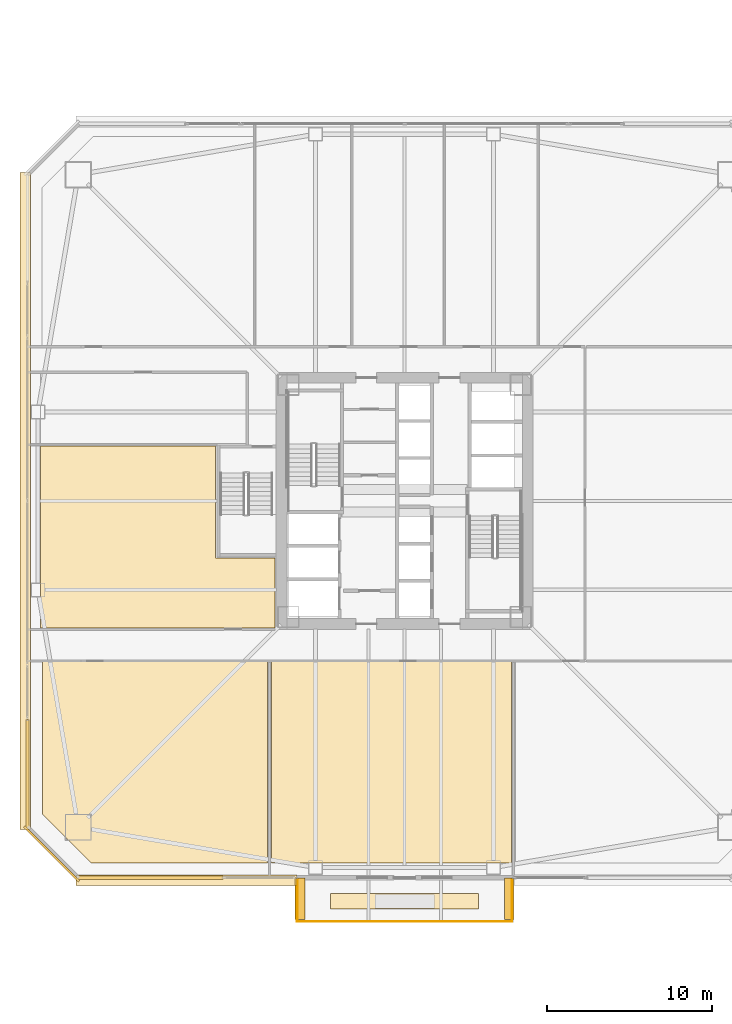
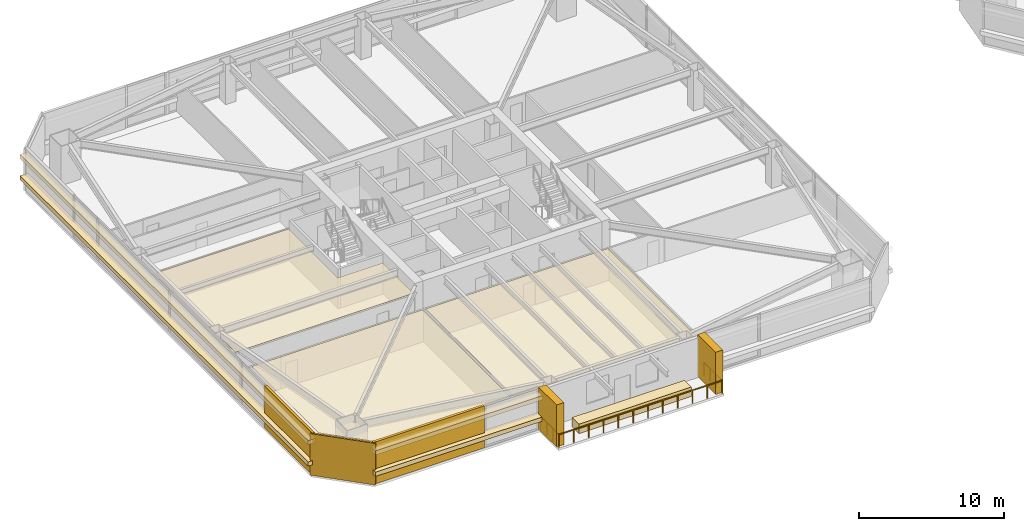
# One storey, part 41 of 48: 13 coverings, 3 railings.
"""IFC4 building model written with IfcOpenShell, lengths in metres."""

from ifc_helpers import new_model, si_unit, direction, frame, origin, origin_2d, place, context, subcontext, project, spatial, polyline, rectangle, outline, extrude, material, layer, layer_set, type_object, element, save


model = new_model("IFC4")

# Units and contexts
model_context = context("Model", 3, precision=1e-05, world=origin(), true_north=direction((0.0, 1.0)))
body_context = subcontext(model_context, "Body", "Model", "MODEL_VIEW")
ifc_project = project(units=[si_unit("LENGTHUNIT", "METRE"), si_unit("AREAUNIT", "SQUARE_METRE"), si_unit("VOLUMEUNIT", "CUBIC_METRE"), si_unit("PLANEANGLEUNIT", "RADIAN"), si_unit("MASSUNIT", "GRAM", prefix="KILO")], contexts=[model_context])

# Site, building, storey
site_placement = place(None, origin())
site = spatial("IfcSite", under=ifc_project, at=site_placement, CompositionType="ELEMENT")
building_placement = place(site_placement, origin())
building = spatial("IfcBuilding", under=site, at=building_placement, Name="Tashvorn Skyway Center", CompositionType="ELEMENT")
storey_placement = place(building_placement, frame((0.0, 0.0, 56.550048828125)))
storey = spatial("IfcBuildingStorey", under=building, at=storey_placement, Name="L14", CompositionType="ELEMENT", Elevation=56.550048828125)

# Coverings
ifc_material_1 = material(Name="Precast concrete C40/50", Category="concrete")
ifc_layer_1 = layer(ifc_material_1, 0.199951171875)
ifc_layer_set_1 = layer_set([ifc_layer_1], Name="Precast concrete C40/50")
covering_type_1 = type_object("IfcCoveringType", Name="COV-BRACE-CLAD", PredefinedType="CLADDING", material=ifc_layer_set_1)
covering_1_placement = place(storey_placement, frame((26.546630859375, 9.1201171875, 0.0), z_axis=(0.0, 0.0, 1.0), x_axis=(-1.0, 0.0, 0.0)))
element("IfcCovering", 1, at=covering_1_placement, inside=storey, type_object=covering_type_1, Name="Tower 1 L14 South Curtain Wall R Mega-Brace Cladding Band 1", PredefinedType="CLADDING", context=body_context, shape_type="SweptSolid", body=[
    extrude(rectangle(XDim=8.853271484375, YDim=0.199951171875, at=origin_2d()), origin(), (0.0, 0.0, 1.0), 3.550048828125),
])
covering_2_placement = place(storey_placement, frame((19.1201171875, 15.433349609375, 0.0), z_axis=(0.0, 0.0, 1.0), x_axis=(0.0, 1.0, 0.0)))
element("IfcCovering", 2, at=covering_2_placement, inside=storey, type_object=covering_type_1, Name="Tower 1 L14 West Unitised Curtain Wall Mega-Brace Cladding Band 1", PredefinedType="CLADDING", context=body_context, shape_type="SweptSolid", body=[
    extrude(rectangle(XDim=6.626708984375, YDim=0.199951171875, at=origin_2d()), origin(), (0.0, 0.0, 1.0), 3.550048828125),
])
ifc_material_2 = material(Name="Mineral-fibre acoustic ceiling tile on suspended grid")
ifc_layer_2 = layer(ifc_material_2, 0.02001953125)
ifc_layer_set_2 = layer_set([ifc_layer_2], Name="Mineral-fibre acoustic ceiling tile on suspended grid")
covering_type_2 = type_object("IfcCoveringType", Name="COV-CEIL-20", PredefinedType="CEILING", material=ifc_layer_set_2)
covering_3_placement = place(storey_placement, frame((0.0, 0.0, 2.682861328125)))
element("IfcCovering", 3, at=covering_3_placement, inside=storey, type_object=covering_type_2, Name="Tower 1 L14 Research Library Acoustic Ceiling", PredefinedType="CEILING", context=body_context, shape_type="SweptSolid", body=[
    extrude(outline(polyline([(20.02001953125, 22.239990234375), (33.679931640625, 22.239990234375), (33.679931640625, 10.02001953125), (22.97998046875, 10.02001953125), (20.02001953125, 12.97998046875), (20.02001953125, 22.239990234375)])), origin(), (0.0, 0.0, 1.0), 0.02001953125),
])
covering_4_placement = place(storey_placement, frame((0.0, 0.0, 2.682861328125)))
element("IfcCovering", 4, at=covering_4_placement, inside=storey, type_object=covering_type_2, Name="Tower 1 L14 Collaborative Studio Acoustic Ceiling", PredefinedType="CEILING", context=body_context, shape_type="SweptSolid", body=[
    extrude(outline(polyline([(33.919921875, 22.239990234375), (48.47998046875, 22.239990234375), (48.47998046875, 10.02001953125), (33.919921875, 10.02001953125), (33.919921875, 22.239990234375)])), origin(), (0.0, 0.0, 1.0), 0.02001953125),
])
covering_5_placement = place(storey_placement, frame((0.0, 0.0, 2.682861328125)))
element("IfcCovering", 5, at=covering_5_placement, inside=storey, type_object=covering_type_2, Name="Tower 1 L14 Public Restroom Acoustic Ceiling", PredefinedType="CEILING", context=body_context, shape_type="SweptSolid", body=[
    extrude(outline(polyline([(34.1201171875, 24.280029296875), (19.89990234375, 24.280029296875), (19.89990234375, 28.52001953125), (19.89990234375, 35.320068359375), (30.52001953125, 35.320068359375), (30.52001953125, 28.52001953125), (34.1201171875, 28.52001953125), (34.1201171875, 24.280029296875)])), origin(), (0.0, 0.0, 1.0), 0.02001953125),
])
ifc_material_3 = material(Name="Perforated ceramic-coated bronze aluminium solar screen", Category="aluminium")
ifc_layer_3 = layer(ifc_material_3, 0.85009765625)
ifc_layer_set_3 = layer_set([ifc_layer_3], Name="Perforated ceramic-coated bronze aluminium solar screen")
covering_type_3 = type_object("IfcCoveringType", Name="COV-SOLAR-BAND", PredefinedType="CLADDING", material=ifc_layer_set_3)
for number, where, z_axis, x_axis, name in (
    (6, (28.760009765625, 8.97998046875, 0.919921875), (0.0, 0.0, 1.0), (-1.0, 0.0, 0.0), "L14 Perforated Ceramic-Metal Solar Screen Louvre Band South 1"),
    (7, (28.760009765625, 8.97998046875, 2.7197265625), (0.0, 0.0, 1.0), (-1.0, 0.0, 0.0), "L14 Perforated Ceramic-Metal Solar Screen Louvre Band South 2"),
):
    element("IfcCovering", number, at=place(storey_placement, frame(where, z_axis=z_axis, x_axis=x_axis)), inside=storey, type_object=covering_type_3, Name=name, PredefinedType="CLADDING", context=body_context, shape_type="SweptSolid", body=[
        extrude(rectangle(XDim=13.39990234375, YDim=0.639892578125, at=origin_2d()), origin(), (0.0, 0.0, 1.0), 0.360107421875),
    ])
for number, where, z_axis, x_axis, name in (
    (8, (18.97998046875, 32.0, 0.919921875), (0.0, 0.0, 1.0), (0.0, 1.0, 0.0), "L14 Perforated Ceramic-Metal Solar Screen Louvre Band West 1"),
    (9, (18.97998046875, 32.0, 2.7197265625), (0.0, 0.0, 1.0), (0.0, 1.0, 0.0), "L14 Perforated Ceramic-Metal Solar Screen Louvre Band West 2"),
):
    element("IfcCovering", number, at=place(storey_placement, frame(where, z_axis=z_axis, x_axis=x_axis)), inside=storey, type_object=covering_type_3, Name=name, PredefinedType="CLADDING", context=body_context, shape_type="SweptSolid", body=[
        extrude(rectangle(XDim=39.8798828125, YDim=0.639892578125, at=origin_2d()), origin(), (0.0, 0.0, 1.0), 0.360107421875),
    ])
ifc_layer_4 = layer(ifc_material_1, 0.35009765625)
ifc_layer_set_4 = layer_set([ifc_layer_4], Name="Precast concrete C40/50")
covering_type_4 = type_object("IfcCoveringType", Name="COV-STONE-TRIM", PredefinedType="CLADDING", material=ifc_layer_set_4)
for number, where, z_axis, x_axis, name in (
    (10, (48.35009765625, 7.85009765625, 0.0), (0.0, 0.0, 1.0), (-1.0, 0.0, 0.0), "Tower 1 L14 Sky Garden Loggia Pier L"),
    (11, (35.64990234375, 7.85009765625, 0.0), (0.0, 0.0, 1.0), (-1.0, 0.0, 0.0), "Tower 1 L14 Sky Garden Loggia Pier R"),
):
    element("IfcCovering", number, at=place(storey_placement, frame(where, z_axis=z_axis, x_axis=x_axis)), inside=storey, type_object=covering_type_4, Name=name, PredefinedType="CLADDING", context=body_context, shape_type="SweptSolid", body=[
        extrude(rectangle(XDim=0.580078125, YDim=2.5, at=origin_2d()), origin(), (0.0, 0.0, 1.0), 3.550048828125),
    ])
covering_6_placement = place(storey_placement, frame((42.0, 7.699951171875, 0.0), z_axis=(0.0, 0.0, 1.0), x_axis=(-1.0, 0.0, 0.0)))
element("IfcCovering", 12, at=covering_6_placement, inside=storey, type_object=covering_type_4, Name="Tower 1 L14 Sky Garden Stone Planter Bed", PredefinedType="CLADDING", context=body_context, shape_type="SweptSolid", body=[
    extrude(rectangle(XDim=8.97607421875, YDim=0.949951171875, at=origin_2d()), origin(), (0.0, 0.0, 1.0), 0.800048828125),
])
covering_7_placement = place(storey_placement, frame((20.580078125, 10.580078125, 0.02001953125), z_axis=(0.0, 0.0, 1.0), x_axis=(-0.707106781187, 0.707106781187, 0.0)))
element("IfcCovering", 13, at=covering_7_placement, inside=storey, type_object=covering_type_4, Name="Tower 1 L14 SW Mojave Limestone Corner Quoin", PredefinedType="CLADDING", context=body_context, shape_type="SweptSolid", body=[
    extrude(rectangle(XDim=4.685546875, YDim=0.139892578125, at=origin_2d()), origin(), (0.0, 0.0, 1.0), 3.510009765625),
])

# Railings
ifc_material_4 = material(Name="Galvanized steel S355", Category="steel")
railing_type = type_object("IfcRailingType", Name="RAIL-GUARD-1120", PredefinedType="GUARDRAIL", material=ifc_material_4)
railing_1_placement = place(storey_placement, frame((35.47998046875, 9.0, 0.0)))
element("IfcRailing", 14, at=railing_1_placement, inside=storey, type_object=railing_type, Name="L14 Tower 1 Terrace Guardrail 01", PredefinedType="GUARDRAIL", context=body_context, shape_type="SweptSolid", body=[
    extrude(rectangle(XDim=0.048095703125, YDim=0.048095703125, at=origin_2d()), frame((0.0, 0.0, 1.09619140625), z_axis=(0.0, -1.0, 0.0), x_axis=(1.0, 0.0, 0.0)), (0.0, 0.0, 1.0), 2.52001953125),
    extrude(rectangle(XDim=0.0419921875, YDim=0.0419921875, at=origin_2d()), origin(), (0.0, 0.0, 1.0), 1.072021484375),
    extrude(rectangle(XDim=0.0419921875, YDim=0.0419921875, at=origin_2d()), frame((0.0, -0.840087890625, 0.0)), (0.0, 0.0, 1.0), 1.072021484375),
    extrude(rectangle(XDim=0.0419921875, YDim=0.0419921875, at=origin_2d()), frame((0.0, -1.679931640625, 0.0)), (0.0, 0.0, 1.0), 1.072021484375),
    extrude(rectangle(XDim=0.0419921875, YDim=0.0419921875, at=origin_2d()), frame((0.0, -2.52001953125, 0.0)), (0.0, 0.0, 1.0), 1.072021484375),
])
railing_2_placement = place(storey_placement, frame((35.47998046875, 6.47998046875, 0.0)))
element("IfcRailing", 15, at=railing_2_placement, inside=storey, type_object=railing_type, Name="L14 Tower 1 Terrace Guardrail 02", PredefinedType="GUARDRAIL", context=body_context, shape_type="SweptSolid", body=[
    extrude(rectangle(XDim=0.048095703125, YDim=0.048095703125, at=origin_2d()), frame((0.0, 0.0, 1.09619140625), z_axis=(1.0, 0.0, 0.0), x_axis=(0.0, 1.0, 0.0)), (0.0, 0.0, 1.0), 13.0400390625),
    extrude(rectangle(XDim=0.0419921875, YDim=0.0419921875, at=origin_2d()), origin(), (0.0, 0.0, 1.0), 1.072021484375),
    extrude(rectangle(XDim=0.0419921875, YDim=0.0419921875, at=origin_2d()), frame((1.185546875, 0.0, 0.0)), (0.0, 0.0, 1.0), 1.072021484375),
    extrude(rectangle(XDim=0.0419921875, YDim=0.0419921875, at=origin_2d()), frame((2.370849609375, 0.0, 0.0)), (0.0, 0.0, 1.0), 1.072021484375),
    extrude(rectangle(XDim=0.0419921875, YDim=0.0419921875, at=origin_2d()), frame((3.556396484375, 0.0, 0.0)), (0.0, 0.0, 1.0), 1.072021484375),
    extrude(rectangle(XDim=0.0419921875, YDim=0.0419921875, at=origin_2d()), frame((4.741943359375, 0.0, 0.0)), (0.0, 0.0, 1.0), 1.072021484375),
    extrude(rectangle(XDim=0.0419921875, YDim=0.0419921875, at=origin_2d()), frame((5.92724609375, 0.0, 0.0)), (0.0, 0.0, 1.0), 1.072021484375),
    extrude(rectangle(XDim=0.0419921875, YDim=0.0419921875, at=origin_2d()), frame((7.11279296875, 0.0, 0.0)), (0.0, 0.0, 1.0), 1.072021484375),
    extrude(rectangle(XDim=0.0419921875, YDim=0.0419921875, at=origin_2d()), frame((8.298095703125, 0.0, 0.0)), (0.0, 0.0, 1.0), 1.072021484375),
    extrude(rectangle(XDim=0.0419921875, YDim=0.0419921875, at=origin_2d()), frame((9.483642578125, 0.0, 0.0)), (0.0, 0.0, 1.0), 1.072021484375),
    extrude(rectangle(XDim=0.0419921875, YDim=0.0419921875, at=origin_2d()), frame((10.669189453125, 0.0, 0.0)), (0.0, 0.0, 1.0), 1.072021484375),
    extrude(rectangle(XDim=0.0419921875, YDim=0.0419921875, at=origin_2d()), frame((11.8544921875, 0.0, 0.0)), (0.0, 0.0, 1.0), 1.072021484375),
    extrude(rectangle(XDim=0.0419921875, YDim=0.0419921875, at=origin_2d()), frame((13.0400390625, 0.0, 0.0)), (0.0, 0.0, 1.0), 1.072021484375),
])
railing_3_placement = place(storey_placement, frame((48.52001953125, 6.47998046875, 0.0)))
element("IfcRailing", 16, at=railing_3_placement, inside=storey, type_object=railing_type, Name="L14 Tower 1 Terrace Guardrail 03", PredefinedType="GUARDRAIL", context=body_context, shape_type="SweptSolid", body=[
    extrude(rectangle(XDim=0.048095703125, YDim=0.048095703125, at=origin_2d()), frame((0.0, 0.0, 1.09619140625), z_axis=(0.0, 1.0, 0.0), x_axis=(-1.0, 0.0, 0.0)), (0.0, 0.0, 1.0), 2.52001953125),
    extrude(rectangle(XDim=0.0419921875, YDim=0.0419921875, at=origin_2d()), origin(), (0.0, 0.0, 1.0), 1.072021484375),
    extrude(rectangle(XDim=0.0419921875, YDim=0.0419921875, at=origin_2d()), frame((0.0, 0.840087890625, 0.0)), (0.0, 0.0, 1.0), 1.072021484375),
    extrude(rectangle(XDim=0.0419921875, YDim=0.0419921875, at=origin_2d()), frame((0.0, 1.679931640625, 0.0)), (0.0, 0.0, 1.0), 1.072021484375),
    extrude(rectangle(XDim=0.0419921875, YDim=0.0419921875, at=origin_2d()), frame((0.0, 2.52001953125, 0.0)), (0.0, 0.0, 1.0), 1.072021484375),
])

save(model, "model.ifc")
